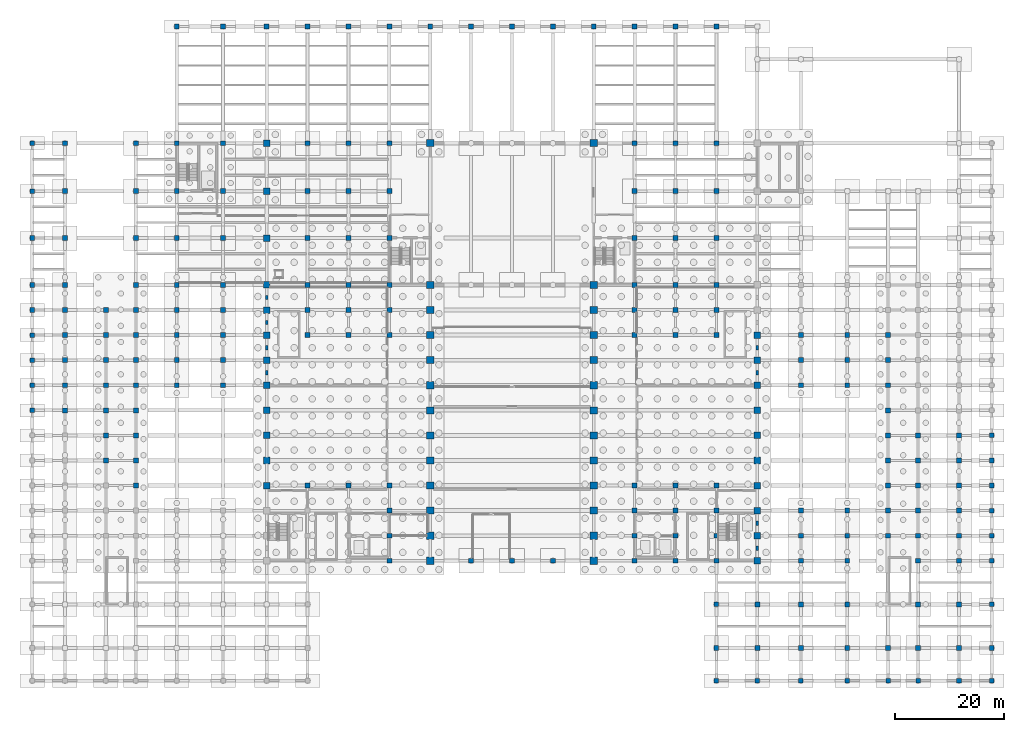
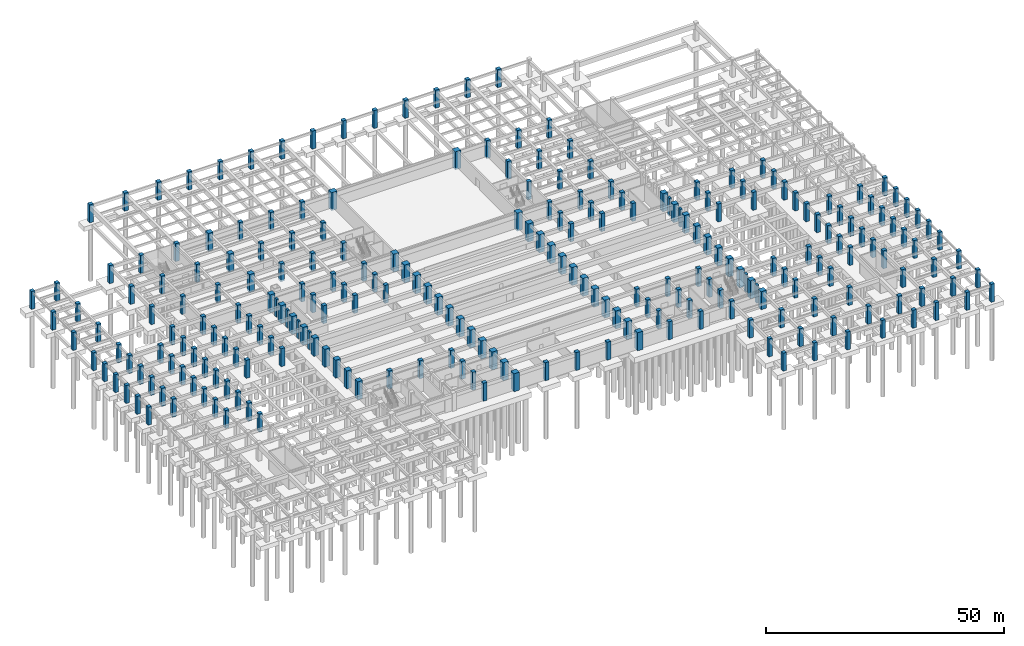
# One storey, part 11 of 32: 242 columns.
"""IFC4 building model written with IfcOpenShell, lengths in metres."""

from ifc_helpers import new_model, si_unit, direction, frame, origin, origin_2d, place, context, subcontext, project, spatial, rectangle, extrude, material, material_profile, profile_set, type_object, element, save


model = new_model("IFC4")

# Units and contexts
model_context = context("Model", 3, precision=1e-05, world=origin(), true_north=direction((0.0, 1.0)))
body_context = subcontext(model_context, "Body", "Model", "MODEL_VIEW")
ifc_project = project(units=[si_unit("LENGTHUNIT", "METRE"), si_unit("AREAUNIT", "SQUARE_METRE"), si_unit("VOLUMEUNIT", "CUBIC_METRE"), si_unit("PLANEANGLEUNIT", "RADIAN"), si_unit("MASSUNIT", "GRAM", prefix="KILO")], contexts=[model_context])

# Site, building, storey
site_placement = place(None, origin())
site = spatial("IfcSite", under=ifc_project, at=site_placement, CompositionType="ELEMENT")
building_placement = place(site_placement, origin())
building = spatial("IfcBuilding", under=site, at=building_placement, Name="Muzn Square Opera House", CompositionType="ELEMENT")
storey_placement = place(building_placement, frame((0.0, 0.0, -4.199951171875)))
storey = spatial("IfcBuildingStorey", under=building, at=storey_placement, Name="B1", CompositionType="ELEMENT", Elevation=-4.199951171875)

# Columns
ifc_material = material(Name="Concrete C45/55", Category="concrete")
ifc_material_profile_1 = material_profile(ifc_material, rectangle(XDim=0.5, YDim=0.800048828125, at=origin_2d()), Name="RC 500x800", Category="concrete")
ifc_profile_set_1 = profile_set([ifc_material_profile_1], Name="Concrete C45/55")
column_type_1 = type_object("IfcColumnType", Name="Facade Pilaster 500x800", PredefinedType="PILASTER", material=ifc_profile_set_1)
for number, where, z_axis, x_axis, name in (
    (1, (43.0, 56.5, -0.420166015625), (0.0, 0.0, 1.0), (1.0, 0.0, 0.0), "Engaged Pilaster PIL-B1-PIL-5080-430_565"),
    (2, (43.0, 61.10009765625, -0.420166015625), (0.0, 0.0, 1.0), (1.0, 0.0, 0.0), "Engaged Pilaster PIL-B1-PIL-5080-430_611"),
    (3, (43.0, 65.699951171875, -0.420166015625), (0.0, 0.0, 1.0), (1.0, 0.0, 0.0), "Engaged Pilaster PIL-B1-PIL-5080-430_657"),
    (4, (43.0, 70.300048828125, -0.420166015625), (0.0, 0.0, 1.0), (1.0, 0.0, 0.0), "Engaged Pilaster PIL-B1-PIL-5080-430_703"),
    (5, (133.0, 24.300048828125, -0.420166015625), (0.0, 0.0, 1.0), (1.0, 0.0, 0.0), "Engaged Pilaster PIL-B1-PIL-5080-1330_243"),
    (6, (133.0, 28.89990234375, -0.420166015625), (0.0, 0.0, 1.0), (1.0, 0.0, 0.0), "Engaged Pilaster PIL-B1-PIL-5080-1330_289"),
    (7, (133.0, 56.5, -0.420166015625), (0.0, 0.0, 1.0), (1.0, 0.0, 0.0), "Engaged Pilaster PIL-B1-PIL-5080-1330_565"),
    (8, (133.0, 61.10009765625, -0.420166015625), (0.0, 0.0, 1.0), (1.0, 0.0, 0.0), "Engaged Pilaster PIL-B1-PIL-5080-1330_611"),
):
    element("IfcColumn", number, at=place(storey_placement, frame(where, z_axis=z_axis, x_axis=x_axis)), inside=storey, type_object=column_type_1, Name=name, PredefinedType="PILASTER", context=body_context, shape_type="SweptSolid", body=[
        extrude(rectangle(XDim=0.5, YDim=0.800048828125, at=origin_2d()), origin(), (0.0, 0.0, 1.0), 4.6201171875),
    ])
ifc_material_profile_2 = material_profile(ifc_material, rectangle(XDim=1.199951171875, YDim=1.199951171875, at=origin_2d()), Name="RC 1200x1200", Category="concrete")
ifc_profile_set_2 = profile_set([ifc_material_profile_2], Name="Concrete C45/55")
column_type_2 = type_object("IfcColumnType", Name="Frame Column 1200x1200", PredefinedType="COLUMN", material=ifc_profile_set_2)
for number, where, z_axis, x_axis, name in (
    (9, (43.0, 35.800048828125, -0.420166015625), (0.0, 0.0, 1.0), (1.0, 0.0, 0.0), "Column COL-B1-COL-1200-430_358"),
    (10, (43.0, 40.39990234375, -0.420166015625), (0.0, 0.0, 1.0), (1.0, 0.0, 0.0), "Column COL-B1-COL-1200-430_404"),
    (11, (43.0, 45.0, -0.420166015625), (0.0, 0.0, 1.0), (1.0, 0.0, 0.0), "Column COL-B1-COL-1200-430_450"),
    (12, (43.0, 49.60009765625, -0.420166015625), (0.0, 0.0, 1.0), (1.0, 0.0, 0.0), "Column COL-B1-COL-1200-430_496"),
    (13, (43.0, 54.199951171875, -0.420166015625), (0.0, 0.0, 1.0), (1.0, 0.0, 0.0), "Column COL-B1-COL-1200-430_542"),
    (14, (43.0, 58.800048828125, -0.420166015625), (0.0, 0.0, 1.0), (1.0, 0.0, 0.0), "Column COL-B1-COL-1200-430_588"),
    (15, (43.0, 63.39990234375, -0.420166015625), (0.0, 0.0, 1.0), (1.0, 0.0, 0.0), "Column COL-B1-COL-1200-430_634"),
    (16, (43.0, 68.0, -0.420166015625), (0.0, 0.0, 1.0), (1.0, 0.0, 0.0), "Column COL-B1-COL-1200-430_680"),
    (17, (43.0, 72.60009765625, -0.420166015625), (0.0, 0.0, 1.0), (1.0, 0.0, 0.0), "Column COL-B1-COL-1200-430_726"),
    (18, (43.0, 81.199951171875, -0.420166015625), (0.0, 0.0, 1.0), (1.0, 0.0, 0.0), "Column COL-B1-COL-1200-430_812"),
    (19, (43.0, 89.800048828125, -0.420166015625), (0.0, 0.0, 1.0), (1.0, 0.0, 0.0), "Column COL-B1-COL-1200-430_898"),
    (20, (43.0, 98.60009765625, -0.420166015625), (0.0, 0.0, 1.0), (1.0, 0.0, 0.0), "Column COL-B1-COL-1200-430_986"),
    (21, (133.0, 22.0, -0.420166015625), (0.0, 0.0, 1.0), (1.0, 0.0, 0.0), "Column COL-B1-COL-1200-1330_220"),
    (22, (133.0, 26.60009765625, -0.420166015625), (0.0, 0.0, 1.0), (1.0, 0.0, 0.0), "Column COL-B1-COL-1200-1330_266"),
    (23, (133.0, 31.199951171875, -0.420166015625), (0.0, 0.0, 1.0), (1.0, 0.0, 0.0), "Column COL-B1-COL-1200-1330_312"),
    (24, (133.0, 35.800048828125, -0.420166015625), (0.0, 0.0, 1.0), (1.0, 0.0, 0.0), "Column COL-B1-COL-1200-1330_358"),
    (25, (133.0, 40.39990234375, -0.420166015625), (0.0, 0.0, 1.0), (1.0, 0.0, 0.0), "Column COL-B1-COL-1200-1330_404"),
    (26, (133.0, 45.0, -0.420166015625), (0.0, 0.0, 1.0), (1.0, 0.0, 0.0), "Column COL-B1-COL-1200-1330_450"),
    (27, (133.0, 49.60009765625, -0.420166015625), (0.0, 0.0, 1.0), (1.0, 0.0, 0.0), "Column COL-B1-COL-1200-1330_496"),
    (28, (133.0, 54.199951171875, -0.420166015625), (0.0, 0.0, 1.0), (1.0, 0.0, 0.0), "Column COL-B1-COL-1200-1330_542"),
    (29, (133.0, 58.800048828125, -0.420166015625), (0.0, 0.0, 1.0), (1.0, 0.0, 0.0), "Column COL-B1-COL-1200-1330_588"),
    (30, (133.0, 63.39990234375, -0.420166015625), (0.0, 0.0, 1.0), (1.0, 0.0, 0.0), "Column COL-B1-COL-1200-1330_634"),
):
    element("IfcColumn", number, at=place(storey_placement, frame(where, z_axis=z_axis, x_axis=x_axis)), inside=storey, type_object=column_type_2, Name=name, PredefinedType="COLUMN", context=body_context, shape_type="SweptSolid", body=[
        extrude(rectangle(XDim=1.199951171875, YDim=1.199951171875, at=origin_2d()), origin(), (0.0, 0.0, 1.0), 4.6201171875),
    ])
ifc_material_profile_3 = material_profile(ifc_material, rectangle(XDim=1.300048828125, YDim=1.300048828125, at=origin_2d()), Name="RC 1300x1300", Category="concrete")
ifc_profile_set_3 = profile_set([ifc_material_profile_3], Name="Concrete C45/55")
column_type_3 = type_object("IfcColumnType", Name="Frame Column 1300x1300", PredefinedType="COLUMN", material=ifc_profile_set_3)
for number, where, z_axis, x_axis, name in (
    (31, (73.0, 22.0, -0.420166015625), (0.0, 0.0, 1.0), (1.0, 0.0, 0.0), "Column COL-B1-COL-1300-730_220"),
    (32, (73.0, 26.60009765625, -0.420166015625), (0.0, 0.0, 1.0), (1.0, 0.0, 0.0), "Column COL-B1-COL-1300-730_266"),
    (33, (73.0, 31.199951171875, -0.420166015625), (0.0, 0.0, 1.0), (1.0, 0.0, 0.0), "Column COL-B1-COL-1300-730_312"),
    (34, (73.0, 35.800048828125, -0.420166015625), (0.0, 0.0, 1.0), (1.0, 0.0, 0.0), "Column COL-B1-COL-1300-730_358"),
    (35, (73.0, 40.39990234375, -0.420166015625), (0.0, 0.0, 1.0), (1.0, 0.0, 0.0), "Column COL-B1-COL-1300-730_404"),
    (36, (73.0, 45.0, -0.420166015625), (0.0, 0.0, 1.0), (1.0, 0.0, 0.0), "Column COL-B1-COL-1300-730_450"),
    (37, (73.0, 49.60009765625, -0.420166015625), (0.0, 0.0, 1.0), (1.0, 0.0, 0.0), "Column COL-B1-COL-1300-730_496"),
    (38, (73.0, 54.199951171875, -0.420166015625), (0.0, 0.0, 1.0), (1.0, 0.0, 0.0), "Column COL-B1-COL-1300-730_542"),
    (39, (73.0, 58.800048828125, -0.420166015625), (0.0, 0.0, 1.0), (1.0, 0.0, 0.0), "Column COL-B1-COL-1300-730_588"),
    (40, (73.0, 63.39990234375, -0.420166015625), (0.0, 0.0, 1.0), (1.0, 0.0, 0.0), "Column COL-B1-COL-1300-730_634"),
    (41, (73.0, 68.0, -0.420166015625), (0.0, 0.0, 1.0), (1.0, 0.0, 0.0), "Column COL-B1-COL-1300-730_680"),
    (42, (73.0, 72.60009765625, -0.420166015625), (0.0, 0.0, 1.0), (1.0, 0.0, 0.0), "Column COL-B1-COL-1300-730_726"),
    (43, (73.0, 98.60009765625, -0.420166015625), (0.0, 0.0, 1.0), (1.0, 0.0, 0.0), "Column COL-B1-COL-1300-730_986"),
    (44, (103.0, 22.0, -0.420166015625), (0.0, 0.0, 1.0), (1.0, 0.0, 0.0), "Column COL-B1-COL-1300-1030_220"),
    (45, (103.0, 26.60009765625, -0.420166015625), (0.0, 0.0, 1.0), (1.0, 0.0, 0.0), "Column COL-B1-COL-1300-1030_266"),
    (46, (103.0, 31.199951171875, -0.420166015625), (0.0, 0.0, 1.0), (1.0, 0.0, 0.0), "Column COL-B1-COL-1300-1030_312"),
    (47, (103.0, 35.800048828125, -0.420166015625), (0.0, 0.0, 1.0), (1.0, 0.0, 0.0), "Column COL-B1-COL-1300-1030_358"),
    (48, (103.0, 40.39990234375, -0.420166015625), (0.0, 0.0, 1.0), (1.0, 0.0, 0.0), "Column COL-B1-COL-1300-1030_404"),
    (49, (103.0, 45.0, -0.420166015625), (0.0, 0.0, 1.0), (1.0, 0.0, 0.0), "Column COL-B1-COL-1300-1030_450"),
    (50, (103.0, 49.60009765625, -0.420166015625), (0.0, 0.0, 1.0), (1.0, 0.0, 0.0), "Column COL-B1-COL-1300-1030_496"),
    (51, (103.0, 54.199951171875, -0.420166015625), (0.0, 0.0, 1.0), (1.0, 0.0, 0.0), "Column COL-B1-COL-1300-1030_542"),
    (52, (103.0, 58.800048828125, -0.420166015625), (0.0, 0.0, 1.0), (1.0, 0.0, 0.0), "Column COL-B1-COL-1300-1030_588"),
    (53, (103.0, 63.39990234375, -0.420166015625), (0.0, 0.0, 1.0), (1.0, 0.0, 0.0), "Column COL-B1-COL-1300-1030_634"),
    (54, (103.0, 68.0, -0.420166015625), (0.0, 0.0, 1.0), (1.0, 0.0, 0.0), "Column COL-B1-COL-1300-1030_680"),
    (55, (103.0, 72.60009765625, -0.420166015625), (0.0, 0.0, 1.0), (1.0, 0.0, 0.0), "Column COL-B1-COL-1300-1030_726"),
    (56, (103.0, 98.60009765625, -0.420166015625), (0.0, 0.0, 1.0), (1.0, 0.0, 0.0), "Column COL-B1-COL-1300-1030_986"),
):
    element("IfcColumn", number, at=place(storey_placement, frame(where, z_axis=z_axis, x_axis=x_axis)), inside=storey, type_object=column_type_3, Name=name, PredefinedType="COLUMN", context=body_context, shape_type="SweptSolid", body=[
        extrude(rectangle(XDim=1.300048828125, YDim=1.300048828125, at=origin_2d()), origin(), (0.0, 0.0, 1.0), 4.6201171875),
    ])
ifc_material_profile_4 = material_profile(ifc_material, rectangle(XDim=0.85009765625, YDim=0.85009765625, at=origin_2d()), Name="RC 850x850", Category="concrete")
ifc_profile_set_4 = profile_set([ifc_material_profile_4], Name="Concrete C45/55")
column_type_4 = type_object("IfcColumnType", Name="Frame Column 850x850", PredefinedType="COLUMN", material=ifc_profile_set_4)
for number, where, z_axis, x_axis, name in (
    (57, (0.0, 49.60009765625, -0.420166015625), (0.0, 0.0, 1.0), (1.0, 0.0, 0.0), "Column COL-B1-COL-850-0_496"),
    (58, (0.0, 54.199951171875, -0.420166015625), (0.0, 0.0, 1.0), (1.0, 0.0, 0.0), "Column COL-B1-COL-850-0_542"),
    (59, (0.0, 58.800048828125, -0.420166015625), (0.0, 0.0, 1.0), (1.0, 0.0, 0.0), "Column COL-B1-COL-850-0_588"),
    (60, (0.0, 63.39990234375, -0.420166015625), (0.0, 0.0, 1.0), (1.0, 0.0, 0.0), "Column COL-B1-COL-850-0_634"),
    (61, (0.0, 68.0, -0.420166015625), (0.0, 0.0, 1.0), (1.0, 0.0, 0.0), "Column COL-B1-COL-850-0_680"),
    (62, (0.0, 72.60009765625, -0.420166015625), (0.0, 0.0, 1.0), (1.0, 0.0, 0.0), "Column COL-B1-COL-850-0_726"),
    (63, (0.0, 81.199951171875, -0.420166015625), (0.0, 0.0, 1.0), (1.0, 0.0, 0.0), "Column COL-B1-COL-850-0_812"),
    (64, (0.0, 89.800048828125, -0.420166015625), (0.0, 0.0, 1.0), (1.0, 0.0, 0.0), "Column COL-B1-COL-850-0_898"),
    (65, (0.0, 98.60009765625, -0.420166015625), (0.0, 0.0, 1.0), (1.0, 0.0, 0.0), "Column COL-B1-COL-850-0_986"),
    (66, (125.5, 0.0, -0.420166015625), (0.0, 0.0, 1.0), (1.0, 0.0, 0.0), "Column COL-B1-COL-850-1255_0"),
    (67, (125.5, 6.0, -0.420166015625), (0.0, 0.0, 1.0), (1.0, 0.0, 0.0), "Column COL-B1-COL-850-1255_60"),
    (68, (125.5, 14.0, -0.420166015625), (0.0, 0.0, 1.0), (1.0, 0.0, 0.0), "Column COL-B1-COL-850-1255_140"),
    (69, (133.0, 0.0, -0.420166015625), (0.0, 0.0, 1.0), (1.0, 0.0, 0.0), "Column COL-B1-COL-850-1330_0"),
    (70, (141.0, 0.0, -0.420166015625), (0.0, 0.0, 1.0), (1.0, 0.0, 0.0), "Column COL-B1-COL-850-1410_0"),
    (71, (149.5, 0.0, -0.420166015625), (0.0, 0.0, 1.0), (1.0, 0.0, 0.0), "Column COL-B1-COL-850-1495_0"),
    (72, (157.0, 0.0, -0.420166015625), (0.0, 0.0, 1.0), (1.0, 0.0, 0.0), "Column COL-B1-COL-850-1570_0"),
    (73, (162.5, 0.0, -0.420166015625), (0.0, 0.0, 1.0), (1.0, 0.0, 0.0), "Column COL-B1-COL-850-1625_0"),
    (74, (170.0, 0.0, -0.420166015625), (0.0, 0.0, 1.0), (1.0, 0.0, 0.0), "Column COL-B1-COL-850-1700_0"),
    (75, (176.0, 0.0, -0.420166015625), (0.0, 0.0, 1.0), (1.0, 0.0, 0.0), "Column COL-B1-COL-850-1760_0"),
    (76, (176.0, 6.0, -0.420166015625), (0.0, 0.0, 1.0), (1.0, 0.0, 0.0), "Column COL-B1-COL-850-1760_60"),
    (77, (176.0, 14.0, -0.420166015625), (0.0, 0.0, 1.0), (1.0, 0.0, 0.0), "Column COL-B1-COL-850-1760_140"),
    (78, (176.0, 22.0, -0.420166015625), (0.0, 0.0, 1.0), (1.0, 0.0, 0.0), "Column COL-B1-COL-850-1760_220"),
    (79, (176.0, 26.60009765625, -0.420166015625), (0.0, 0.0, 1.0), (1.0, 0.0, 0.0), "Column COL-B1-COL-850-1760_266"),
    (80, (176.0, 31.199951171875, -0.420166015625), (0.0, 0.0, 1.0), (1.0, 0.0, 0.0), "Column COL-B1-COL-850-1760_312"),
    (81, (176.0, 35.800048828125, -0.420166015625), (0.0, 0.0, 1.0), (1.0, 0.0, 0.0), "Column COL-B1-COL-850-1760_358"),
    (82, (176.0, 40.39990234375, -0.420166015625), (0.0, 0.0, 1.0), (1.0, 0.0, 0.0), "Column COL-B1-COL-850-1760_404"),
    (83, (176.0, 45.0, -0.420166015625), (0.0, 0.0, 1.0), (1.0, 0.0, 0.0), "Column COL-B1-COL-850-1760_450"),
):
    element("IfcColumn", number, at=place(storey_placement, frame(where, z_axis=z_axis, x_axis=x_axis)), inside=storey, type_object=column_type_4, Name=name, PredefinedType="COLUMN", context=body_context, shape_type="SweptSolid", body=[
        extrude(rectangle(XDim=0.85009765625, YDim=0.85009765625, at=origin_2d()), origin(), (0.0, 0.0, 1.0), 4.6201171875),
    ])
ifc_material_profile_5 = material_profile(ifc_material, rectangle(XDim=0.89990234375, YDim=0.89990234375, at=origin_2d()), Name="RC 900x900", Category="concrete")
ifc_profile_set_5 = profile_set([ifc_material_profile_5], Name="Concrete C45/55")
column_type_5 = type_object("IfcColumnType", Name="Frame Column 900x900", PredefinedType="COLUMN", material=ifc_profile_set_5)
for number, where, z_axis, x_axis, name in (
    (84, (6.0, 49.60009765625, -0.420166015625), (0.0, 0.0, 1.0), (1.0, 0.0, 0.0), "Column COL-B1-COL-900-60_496"),
    (85, (6.0, 54.199951171875, -0.420166015625), (0.0, 0.0, 1.0), (1.0, 0.0, 0.0), "Column COL-B1-COL-900-60_542"),
    (86, (6.0, 58.800048828125, -0.420166015625), (0.0, 0.0, 1.0), (1.0, 0.0, 0.0), "Column COL-B1-COL-900-60_588"),
    (87, (6.0, 63.39990234375, -0.420166015625), (0.0, 0.0, 1.0), (1.0, 0.0, 0.0), "Column COL-B1-COL-900-60_634"),
    (88, (6.0, 68.0, -0.420166015625), (0.0, 0.0, 1.0), (1.0, 0.0, 0.0), "Column COL-B1-COL-900-60_680"),
    (89, (6.0, 72.60009765625, -0.420166015625), (0.0, 0.0, 1.0), (1.0, 0.0, 0.0), "Column COL-B1-COL-900-60_726"),
    (90, (6.0, 81.199951171875, -0.420166015625), (0.0, 0.0, 1.0), (1.0, 0.0, 0.0), "Column COL-B1-COL-900-60_812"),
    (91, (6.0, 89.800048828125, -0.420166015625), (0.0, 0.0, 1.0), (1.0, 0.0, 0.0), "Column COL-B1-COL-900-60_898"),
    (92, (6.0, 98.60009765625, -0.420166015625), (0.0, 0.0, 1.0), (1.0, 0.0, 0.0), "Column COL-B1-COL-900-60_986"),
    (93, (13.5, 40.39990234375, -0.420166015625), (0.0, 0.0, 1.0), (1.0, 0.0, 0.0), "Column COL-B1-COL-900-135_404"),
    (94, (13.5, 45.0, -0.420166015625), (0.0, 0.0, 1.0), (1.0, 0.0, 0.0), "Column COL-B1-COL-900-135_450"),
    (95, (13.5, 49.60009765625, -0.420166015625), (0.0, 0.0, 1.0), (1.0, 0.0, 0.0), "Column COL-B1-COL-900-135_496"),
    (96, (13.5, 54.199951171875, -0.420166015625), (0.0, 0.0, 1.0), (1.0, 0.0, 0.0), "Column COL-B1-COL-900-135_542"),
    (97, (13.5, 58.800048828125, -0.420166015625), (0.0, 0.0, 1.0), (1.0, 0.0, 0.0), "Column COL-B1-COL-900-135_588"),
    (98, (13.5, 63.39990234375, -0.420166015625), (0.0, 0.0, 1.0), (1.0, 0.0, 0.0), "Column COL-B1-COL-900-135_634"),
    (99, (13.5, 68.0, -0.420166015625), (0.0, 0.0, 1.0), (1.0, 0.0, 0.0), "Column COL-B1-COL-900-135_680"),
    (100, (19.0, 35.800048828125, -0.420166015625), (0.0, 0.0, 1.0), (1.0, 0.0, 0.0), "Column COL-B1-COL-900-190_358"),
    (101, (19.0, 40.39990234375, -0.420166015625), (0.0, 0.0, 1.0), (1.0, 0.0, 0.0), "Column COL-B1-COL-900-190_404"),
    (102, (19.0, 45.0, -0.420166015625), (0.0, 0.0, 1.0), (1.0, 0.0, 0.0), "Column COL-B1-COL-900-190_450"),
    (103, (19.0, 49.60009765625, -0.420166015625), (0.0, 0.0, 1.0), (1.0, 0.0, 0.0), "Column COL-B1-COL-900-190_496"),
    (104, (19.0, 54.199951171875, -0.420166015625), (0.0, 0.0, 1.0), (1.0, 0.0, 0.0), "Column COL-B1-COL-900-190_542"),
    (105, (19.0, 58.800048828125, -0.420166015625), (0.0, 0.0, 1.0), (1.0, 0.0, 0.0), "Column COL-B1-COL-900-190_588"),
    (106, (19.0, 63.39990234375, -0.420166015625), (0.0, 0.0, 1.0), (1.0, 0.0, 0.0), "Column COL-B1-COL-900-190_634"),
    (107, (19.0, 68.0, -0.420166015625), (0.0, 0.0, 1.0), (1.0, 0.0, 0.0), "Column COL-B1-COL-900-190_680"),
    (108, (19.0, 72.60009765625, -0.420166015625), (0.0, 0.0, 1.0), (1.0, 0.0, 0.0), "Column COL-B1-COL-900-190_726"),
    (109, (19.0, 81.199951171875, -0.420166015625), (0.0, 0.0, 1.0), (1.0, 0.0, 0.0), "Column COL-B1-COL-900-190_812"),
    (110, (19.0, 89.800048828125, -0.420166015625), (0.0, 0.0, 1.0), (1.0, 0.0, 0.0), "Column COL-B1-COL-900-190_898"),
    (111, (19.0, 98.60009765625, -0.420166015625), (0.0, 0.0, 1.0), (1.0, 0.0, 0.0), "Column COL-B1-COL-900-190_986"),
    (112, (26.5, 54.199951171875, -0.420166015625), (0.0, 0.0, 1.0), (1.0, 0.0, 0.0), "Column COL-B1-COL-900-265_542"),
    (113, (26.5, 58.800048828125, -0.420166015625), (0.0, 0.0, 1.0), (1.0, 0.0, 0.0), "Column COL-B1-COL-900-265_588"),
    (114, (26.5, 63.39990234375, -0.420166015625), (0.0, 0.0, 1.0), (1.0, 0.0, 0.0), "Column COL-B1-COL-900-265_634"),
    (115, (26.5, 68.0, -0.420166015625), (0.0, 0.0, 1.0), (1.0, 0.0, 0.0), "Column COL-B1-COL-900-265_680"),
    (116, (26.5, 72.60009765625, -0.420166015625), (0.0, 0.0, 1.0), (1.0, 0.0, 0.0), "Column COL-B1-COL-900-265_726"),
    (117, (26.5, 81.199951171875, -0.420166015625), (0.0, 0.0, 1.0), (1.0, 0.0, 0.0), "Column COL-B1-COL-900-265_812"),
    (118, (26.5, 89.800048828125, -0.420166015625), (0.0, 0.0, 1.0), (1.0, 0.0, 0.0), "Column COL-B1-COL-900-265_898"),
    (119, (26.5, 98.60009765625, -0.420166015625), (0.0, 0.0, 1.0), (1.0, 0.0, 0.0), "Column COL-B1-COL-900-265_986"),
    (120, (26.5, 120.0, -0.420166015625), (0.0, 0.0, 1.0), (1.0, 0.0, 0.0), "Column COL-B1-COL-900-265_1200"),
    (121, (35.0, 54.199951171875, -0.420166015625), (0.0, 0.0, 1.0), (1.0, 0.0, 0.0), "Column COL-B1-COL-900-350_542"),
    (122, (35.0, 58.800048828125, -0.420166015625), (0.0, 0.0, 1.0), (1.0, 0.0, 0.0), "Column COL-B1-COL-900-350_588"),
    (123, (35.0, 63.39990234375, -0.420166015625), (0.0, 0.0, 1.0), (1.0, 0.0, 0.0), "Column COL-B1-COL-900-350_634"),
    (124, (35.0, 68.0, -0.420166015625), (0.0, 0.0, 1.0), (1.0, 0.0, 0.0), "Column COL-B1-COL-900-350_680"),
    (125, (35.0, 72.60009765625, -0.420166015625), (0.0, 0.0, 1.0), (1.0, 0.0, 0.0), "Column COL-B1-COL-900-350_726"),
    (126, (35.0, 81.199951171875, -0.420166015625), (0.0, 0.0, 1.0), (1.0, 0.0, 0.0), "Column COL-B1-COL-900-350_812"),
    (127, (35.0, 89.800048828125, -0.420166015625), (0.0, 0.0, 1.0), (1.0, 0.0, 0.0), "Column COL-B1-COL-900-350_898"),
    (128, (35.0, 98.60009765625, -0.420166015625), (0.0, 0.0, 1.0), (1.0, 0.0, 0.0), "Column COL-B1-COL-900-350_986"),
    (129, (35.0, 120.0, -0.420166015625), (0.0, 0.0, 1.0), (1.0, 0.0, 0.0), "Column COL-B1-COL-900-350_1200"),
    (130, (43.0, 120.0, -0.420166015625), (0.0, 0.0, 1.0), (1.0, 0.0, 0.0), "Column COL-B1-COL-900-430_1200"),
    (131, (50.5, 35.800048828125, -0.420166015625), (0.0, 0.0, 1.0), (1.0, 0.0, 0.0), "Column COL-B1-COL-900-505_358"),
    (132, (50.5, 63.39990234375, -0.420166015625), (0.0, 0.0, 1.0), (1.0, 0.0, 0.0), "Column COL-B1-COL-900-505_634"),
    (133, (50.5, 68.0, -0.420166015625), (0.0, 0.0, 1.0), (1.0, 0.0, 0.0), "Column COL-B1-COL-900-505_680"),
    (134, (50.5, 72.60009765625, -0.420166015625), (0.0, 0.0, 1.0), (1.0, 0.0, 0.0), "Column COL-B1-COL-900-505_726"),
    (135, (50.5, 81.199951171875, -0.420166015625), (0.0, 0.0, 1.0), (1.0, 0.0, 0.0), "Column COL-B1-COL-900-505_812"),
    (136, (50.5, 89.800048828125, -0.420166015625), (0.0, 0.0, 1.0), (1.0, 0.0, 0.0), "Column COL-B1-COL-900-505_898"),
    (137, (50.5, 98.60009765625, -0.420166015625), (0.0, 0.0, 1.0), (1.0, 0.0, 0.0), "Column COL-B1-COL-900-505_986"),
    (138, (50.5, 120.0, -0.420166015625), (0.0, 0.0, 1.0), (1.0, 0.0, 0.0), "Column COL-B1-COL-900-505_1200"),
    (139, (58.0, 35.800048828125, -0.420166015625), (0.0, 0.0, 1.0), (1.0, 0.0, 0.0), "Column COL-B1-COL-900-580_358"),
    (140, (58.0, 63.39990234375, -0.420166015625), (0.0, 0.0, 1.0), (1.0, 0.0, 0.0), "Column COL-B1-COL-900-580_634"),
    (141, (58.0, 68.0, -0.420166015625), (0.0, 0.0, 1.0), (1.0, 0.0, 0.0), "Column COL-B1-COL-900-580_680"),
    (142, (58.0, 72.60009765625, -0.420166015625), (0.0, 0.0, 1.0), (1.0, 0.0, 0.0), "Column COL-B1-COL-900-580_726"),
    (143, (58.0, 81.199951171875, -0.420166015625), (0.0, 0.0, 1.0), (1.0, 0.0, 0.0), "Column COL-B1-COL-900-580_812"),
    (144, (58.0, 89.800048828125, -0.420166015625), (0.0, 0.0, 1.0), (1.0, 0.0, 0.0), "Column COL-B1-COL-900-580_898"),
    (145, (58.0, 98.60009765625, -0.420166015625), (0.0, 0.0, 1.0), (1.0, 0.0, 0.0), "Column COL-B1-COL-900-580_986"),
    (146, (58.0, 120.0, -0.420166015625), (0.0, 0.0, 1.0), (1.0, 0.0, 0.0), "Column COL-B1-COL-900-580_1200"),
    (147, (65.5, 22.0, -0.420166015625), (0.0, 0.0, 1.0), (1.0, 0.0, 0.0), "Column COL-B1-COL-900-655_220"),
    (148, (65.5, 26.60009765625, -0.420166015625), (0.0, 0.0, 1.0), (1.0, 0.0, 0.0), "Column COL-B1-COL-900-655_266"),
    (149, (65.5, 31.199951171875, -0.420166015625), (0.0, 0.0, 1.0), (1.0, 0.0, 0.0), "Column COL-B1-COL-900-655_312"),
    (150, (65.5, 35.800048828125, -0.420166015625), (0.0, 0.0, 1.0), (1.0, 0.0, 0.0), "Column COL-B1-COL-900-655_358"),
    (151, (65.5, 63.39990234375, -0.420166015625), (0.0, 0.0, 1.0), (1.0, 0.0, 0.0), "Column COL-B1-COL-900-655_634"),
    (152, (65.5, 68.0, -0.420166015625), (0.0, 0.0, 1.0), (1.0, 0.0, 0.0), "Column COL-B1-COL-900-655_680"),
    (153, (65.5, 72.60009765625, -0.420166015625), (0.0, 0.0, 1.0), (1.0, 0.0, 0.0), "Column COL-B1-COL-900-655_726"),
    (154, (65.5, 81.199951171875, -0.420166015625), (0.0, 0.0, 1.0), (1.0, 0.0, 0.0), "Column COL-B1-COL-900-655_812"),
    (155, (65.5, 89.800048828125, -0.420166015625), (0.0, 0.0, 1.0), (1.0, 0.0, 0.0), "Column COL-B1-COL-900-655_898"),
    (156, (65.5, 98.60009765625, -0.420166015625), (0.0, 0.0, 1.0), (1.0, 0.0, 0.0), "Column COL-B1-COL-900-655_986"),
    (157, (65.5, 120.0, -0.420166015625), (0.0, 0.0, 1.0), (1.0, 0.0, 0.0), "Column COL-B1-COL-900-655_1200"),
    (158, (73.0, 120.0, -0.420166015625), (0.0, 0.0, 1.0), (1.0, 0.0, 0.0), "Column COL-B1-COL-900-730_1200"),
    (159, (80.5, 22.0, -0.420166015625), (0.0, 0.0, 1.0), (1.0, 0.0, 0.0), "Column COL-B1-COL-900-805_220"),
    (160, (80.5, 120.0, -0.420166015625), (0.0, 0.0, 1.0), (1.0, 0.0, 0.0), "Column COL-B1-COL-900-805_1200"),
    (161, (88.0, 22.0, -0.420166015625), (0.0, 0.0, 1.0), (1.0, 0.0, 0.0), "Column COL-B1-COL-900-880_220"),
    (162, (88.0, 120.0, -0.420166015625), (0.0, 0.0, 1.0), (1.0, 0.0, 0.0), "Column COL-B1-COL-900-880_1200"),
    (163, (95.5, 22.0, -0.420166015625), (0.0, 0.0, 1.0), (1.0, 0.0, 0.0), "Column COL-B1-COL-900-955_220"),
    (164, (95.5, 120.0, -0.420166015625), (0.0, 0.0, 1.0), (1.0, 0.0, 0.0), "Column COL-B1-COL-900-955_1200"),
    (165, (103.0, 120.0, -0.420166015625), (0.0, 0.0, 1.0), (1.0, 0.0, 0.0), "Column COL-B1-COL-900-1030_1200"),
    (166, (110.5, 22.0, -0.420166015625), (0.0, 0.0, 1.0), (1.0, 0.0, 0.0), "Column COL-B1-COL-900-1105_220"),
    (167, (110.5, 26.60009765625, -0.420166015625), (0.0, 0.0, 1.0), (1.0, 0.0, 0.0), "Column COL-B1-COL-900-1105_266"),
    (168, (110.5, 31.199951171875, -0.420166015625), (0.0, 0.0, 1.0), (1.0, 0.0, 0.0), "Column COL-B1-COL-900-1105_312"),
    (169, (110.5, 35.800048828125, -0.420166015625), (0.0, 0.0, 1.0), (1.0, 0.0, 0.0), "Column COL-B1-COL-900-1105_358"),
    (170, (110.5, 63.39990234375, -0.420166015625), (0.0, 0.0, 1.0), (1.0, 0.0, 0.0), "Column COL-B1-COL-900-1105_634"),
    (171, (110.5, 68.0, -0.420166015625), (0.0, 0.0, 1.0), (1.0, 0.0, 0.0), "Column COL-B1-COL-900-1105_680"),
    (172, (110.5, 72.60009765625, -0.420166015625), (0.0, 0.0, 1.0), (1.0, 0.0, 0.0), "Column COL-B1-COL-900-1105_726"),
    (173, (110.5, 81.199951171875, -0.420166015625), (0.0, 0.0, 1.0), (1.0, 0.0, 0.0), "Column COL-B1-COL-900-1105_812"),
    (174, (110.5, 89.800048828125, -0.420166015625), (0.0, 0.0, 1.0), (1.0, 0.0, 0.0), "Column COL-B1-COL-900-1105_898"),
    (175, (110.5, 98.60009765625, -0.420166015625), (0.0, 0.0, 1.0), (1.0, 0.0, 0.0), "Column COL-B1-COL-900-1105_986"),
    (176, (110.5, 120.0, -0.420166015625), (0.0, 0.0, 1.0), (1.0, 0.0, 0.0), "Column COL-B1-COL-900-1105_1200"),
    (177, (118.0, 22.0, -0.420166015625), (0.0, 0.0, 1.0), (1.0, 0.0, 0.0), "Column COL-B1-COL-900-1180_220"),
    (178, (118.0, 26.60009765625, -0.420166015625), (0.0, 0.0, 1.0), (1.0, 0.0, 0.0), "Column COL-B1-COL-900-1180_266"),
    (179, (118.0, 31.199951171875, -0.420166015625), (0.0, 0.0, 1.0), (1.0, 0.0, 0.0), "Column COL-B1-COL-900-1180_312"),
    (180, (118.0, 35.800048828125, -0.420166015625), (0.0, 0.0, 1.0), (1.0, 0.0, 0.0), "Column COL-B1-COL-900-1180_358"),
    (181, (118.0, 63.39990234375, -0.420166015625), (0.0, 0.0, 1.0), (1.0, 0.0, 0.0), "Column COL-B1-COL-900-1180_634"),
    (182, (118.0, 68.0, -0.420166015625), (0.0, 0.0, 1.0), (1.0, 0.0, 0.0), "Column COL-B1-COL-900-1180_680"),
    (183, (118.0, 72.60009765625, -0.420166015625), (0.0, 0.0, 1.0), (1.0, 0.0, 0.0), "Column COL-B1-COL-900-1180_726"),
    (184, (118.0, 81.199951171875, -0.420166015625), (0.0, 0.0, 1.0), (1.0, 0.0, 0.0), "Column COL-B1-COL-900-1180_812"),
    (185, (118.0, 89.800048828125, -0.420166015625), (0.0, 0.0, 1.0), (1.0, 0.0, 0.0), "Column COL-B1-COL-900-1180_898"),
    (186, (118.0, 98.60009765625, -0.420166015625), (0.0, 0.0, 1.0), (1.0, 0.0, 0.0), "Column COL-B1-COL-900-1180_986"),
    (187, (118.0, 120.0, -0.420166015625), (0.0, 0.0, 1.0), (1.0, 0.0, 0.0), "Column COL-B1-COL-900-1180_1200"),
    (188, (125.5, 22.0, -0.420166015625), (0.0, 0.0, 1.0), (1.0, 0.0, 0.0), "Column COL-B1-COL-900-1255_220"),
    (189, (125.5, 26.60009765625, -0.420166015625), (0.0, 0.0, 1.0), (1.0, 0.0, 0.0), "Column COL-B1-COL-900-1255_266"),
    (190, (125.5, 31.199951171875, -0.420166015625), (0.0, 0.0, 1.0), (1.0, 0.0, 0.0), "Column COL-B1-COL-900-1255_312"),
    (191, (125.5, 35.800048828125, -0.420166015625), (0.0, 0.0, 1.0), (1.0, 0.0, 0.0), "Column COL-B1-COL-900-1255_358"),
    (192, (125.5, 63.39990234375, -0.420166015625), (0.0, 0.0, 1.0), (1.0, 0.0, 0.0), "Column COL-B1-COL-900-1255_634"),
    (193, (125.5, 68.0, -0.420166015625), (0.0, 0.0, 1.0), (1.0, 0.0, 0.0), "Column COL-B1-COL-900-1255_680"),
    (194, (125.5, 72.60009765625, -0.420166015625), (0.0, 0.0, 1.0), (1.0, 0.0, 0.0), "Column COL-B1-COL-900-1255_726"),
    (195, (125.5, 81.199951171875, -0.420166015625), (0.0, 0.0, 1.0), (1.0, 0.0, 0.0), "Column COL-B1-COL-900-1255_812"),
    (196, (125.5, 89.800048828125, -0.420166015625), (0.0, 0.0, 1.0), (1.0, 0.0, 0.0), "Column COL-B1-COL-900-1255_898"),
    (197, (125.5, 98.60009765625, -0.420166015625), (0.0, 0.0, 1.0), (1.0, 0.0, 0.0), "Column COL-B1-COL-900-1255_986"),
    (198, (125.5, 120.0, -0.420166015625), (0.0, 0.0, 1.0), (1.0, 0.0, 0.0), "Column COL-B1-COL-900-1255_1200"),
    (199, (133.0, 6.0, -0.420166015625), (0.0, 0.0, 1.0), (1.0, 0.0, 0.0), "Column COL-B1-COL-900-1330_60"),
    (200, (133.0, 14.0, -0.420166015625), (0.0, 0.0, 1.0), (1.0, 0.0, 0.0), "Column COL-B1-COL-900-1330_140"),
    (201, (141.0, 6.0, -0.420166015625), (0.0, 0.0, 1.0), (1.0, 0.0, 0.0), "Column COL-B1-COL-900-1410_60"),
    (202, (141.0, 14.0, -0.420166015625), (0.0, 0.0, 1.0), (1.0, 0.0, 0.0), "Column COL-B1-COL-900-1410_140"),
    (203, (141.0, 22.0, -0.420166015625), (0.0, 0.0, 1.0), (1.0, 0.0, 0.0), "Column COL-B1-COL-900-1410_220"),
    (204, (141.0, 26.60009765625, -0.420166015625), (0.0, 0.0, 1.0), (1.0, 0.0, 0.0), "Column COL-B1-COL-900-1410_266"),
    (205, (141.0, 31.199951171875, -0.420166015625), (0.0, 0.0, 1.0), (1.0, 0.0, 0.0), "Column COL-B1-COL-900-1410_312"),
    (206, (141.0, 54.199951171875, -0.420166015625), (0.0, 0.0, 1.0), (1.0, 0.0, 0.0), "Column COL-B1-COL-900-1410_542"),
    (207, (141.0, 58.800048828125, -0.420166015625), (0.0, 0.0, 1.0), (1.0, 0.0, 0.0), "Column COL-B1-COL-900-1410_588"),
    (208, (141.0, 63.39990234375, -0.420166015625), (0.0, 0.0, 1.0), (1.0, 0.0, 0.0), "Column COL-B1-COL-900-1410_634"),
    (209, (149.5, 6.0, -0.420166015625), (0.0, 0.0, 1.0), (1.0, 0.0, 0.0), "Column COL-B1-COL-900-1495_60"),
    (210, (149.5, 14.0, -0.420166015625), (0.0, 0.0, 1.0), (1.0, 0.0, 0.0), "Column COL-B1-COL-900-1495_140"),
    (211, (149.5, 22.0, -0.420166015625), (0.0, 0.0, 1.0), (1.0, 0.0, 0.0), "Column COL-B1-COL-900-1495_220"),
    (212, (149.5, 26.60009765625, -0.420166015625), (0.0, 0.0, 1.0), (1.0, 0.0, 0.0), "Column COL-B1-COL-900-1495_266"),
    (213, (149.5, 31.199951171875, -0.420166015625), (0.0, 0.0, 1.0), (1.0, 0.0, 0.0), "Column COL-B1-COL-900-1495_312"),
    (214, (149.5, 54.199951171875, -0.420166015625), (0.0, 0.0, 1.0), (1.0, 0.0, 0.0), "Column COL-B1-COL-900-1495_542"),
    (215, (149.5, 58.800048828125, -0.420166015625), (0.0, 0.0, 1.0), (1.0, 0.0, 0.0), "Column COL-B1-COL-900-1495_588"),
    (216, (149.5, 63.39990234375, -0.420166015625), (0.0, 0.0, 1.0), (1.0, 0.0, 0.0), "Column COL-B1-COL-900-1495_634"),
    (217, (157.0, 6.0, -0.420166015625), (0.0, 0.0, 1.0), (1.0, 0.0, 0.0), "Column COL-B1-COL-900-1570_60"),
    (218, (157.0, 26.60009765625, -0.420166015625), (0.0, 0.0, 1.0), (1.0, 0.0, 0.0), "Column COL-B1-COL-900-1570_266"),
    (219, (157.0, 31.199951171875, -0.420166015625), (0.0, 0.0, 1.0), (1.0, 0.0, 0.0), "Column COL-B1-COL-900-1570_312"),
    (220, (157.0, 35.800048828125, -0.420166015625), (0.0, 0.0, 1.0), (1.0, 0.0, 0.0), "Column COL-B1-COL-900-1570_358"),
    (221, (157.0, 40.39990234375, -0.420166015625), (0.0, 0.0, 1.0), (1.0, 0.0, 0.0), "Column COL-B1-COL-900-1570_404"),
    (222, (157.0, 45.0, -0.420166015625), (0.0, 0.0, 1.0), (1.0, 0.0, 0.0), "Column COL-B1-COL-900-1570_450"),
    (223, (157.0, 49.60009765625, -0.420166015625), (0.0, 0.0, 1.0), (1.0, 0.0, 0.0), "Column COL-B1-COL-900-1570_496"),
    (224, (157.0, 54.199951171875, -0.420166015625), (0.0, 0.0, 1.0), (1.0, 0.0, 0.0), "Column COL-B1-COL-900-1570_542"),
    (225, (157.0, 58.800048828125, -0.420166015625), (0.0, 0.0, 1.0), (1.0, 0.0, 0.0), "Column COL-B1-COL-900-1570_588"),
    (226, (157.0, 63.39990234375, -0.420166015625), (0.0, 0.0, 1.0), (1.0, 0.0, 0.0), "Column COL-B1-COL-900-1570_634"),
    (227, (162.5, 6.0, -0.420166015625), (0.0, 0.0, 1.0), (1.0, 0.0, 0.0), "Column COL-B1-COL-900-1625_60"),
    (228, (162.5, 14.0, -0.420166015625), (0.0, 0.0, 1.0), (1.0, 0.0, 0.0), "Column COL-B1-COL-900-1625_140"),
    (229, (162.5, 22.0, -0.420166015625), (0.0, 0.0, 1.0), (1.0, 0.0, 0.0), "Column COL-B1-COL-900-1625_220"),
    (230, (162.5, 26.60009765625, -0.420166015625), (0.0, 0.0, 1.0), (1.0, 0.0, 0.0), "Column COL-B1-COL-900-1625_266"),
    (231, (162.5, 31.199951171875, -0.420166015625), (0.0, 0.0, 1.0), (1.0, 0.0, 0.0), "Column COL-B1-COL-900-1625_312"),
    (232, (162.5, 35.800048828125, -0.420166015625), (0.0, 0.0, 1.0), (1.0, 0.0, 0.0), "Column COL-B1-COL-900-1625_358"),
    (233, (162.5, 40.39990234375, -0.420166015625), (0.0, 0.0, 1.0), (1.0, 0.0, 0.0), "Column COL-B1-COL-900-1625_404"),
    (234, (162.5, 45.0, -0.420166015625), (0.0, 0.0, 1.0), (1.0, 0.0, 0.0), "Column COL-B1-COL-900-1625_450"),
    (235, (170.0, 6.0, -0.420166015625), (0.0, 0.0, 1.0), (1.0, 0.0, 0.0), "Column COL-B1-COL-900-1700_60"),
    (236, (170.0, 14.0, -0.420166015625), (0.0, 0.0, 1.0), (1.0, 0.0, 0.0), "Column COL-B1-COL-900-1700_140"),
    (237, (170.0, 22.0, -0.420166015625), (0.0, 0.0, 1.0), (1.0, 0.0, 0.0), "Column COL-B1-COL-900-1700_220"),
    (238, (170.0, 26.60009765625, -0.420166015625), (0.0, 0.0, 1.0), (1.0, 0.0, 0.0), "Column COL-B1-COL-900-1700_266"),
    (239, (170.0, 31.199951171875, -0.420166015625), (0.0, 0.0, 1.0), (1.0, 0.0, 0.0), "Column COL-B1-COL-900-1700_312"),
    (240, (170.0, 35.800048828125, -0.420166015625), (0.0, 0.0, 1.0), (1.0, 0.0, 0.0), "Column COL-B1-COL-900-1700_358"),
    (241, (170.0, 40.39990234375, -0.420166015625), (0.0, 0.0, 1.0), (1.0, 0.0, 0.0), "Column COL-B1-COL-900-1700_404"),
    (242, (170.0, 45.0, -0.420166015625), (0.0, 0.0, 1.0), (1.0, 0.0, 0.0), "Column COL-B1-COL-900-1700_450"),
):
    element("IfcColumn", number, at=place(storey_placement, frame(where, z_axis=z_axis, x_axis=x_axis)), inside=storey, type_object=column_type_5, Name=name, PredefinedType="COLUMN", context=body_context, shape_type="SweptSolid", body=[
        extrude(rectangle(XDim=0.89990234375, YDim=0.89990234375, at=origin_2d()), origin(), (0.0, 0.0, 1.0), 4.6201171875),
    ])

save(model, "model.ifc")
